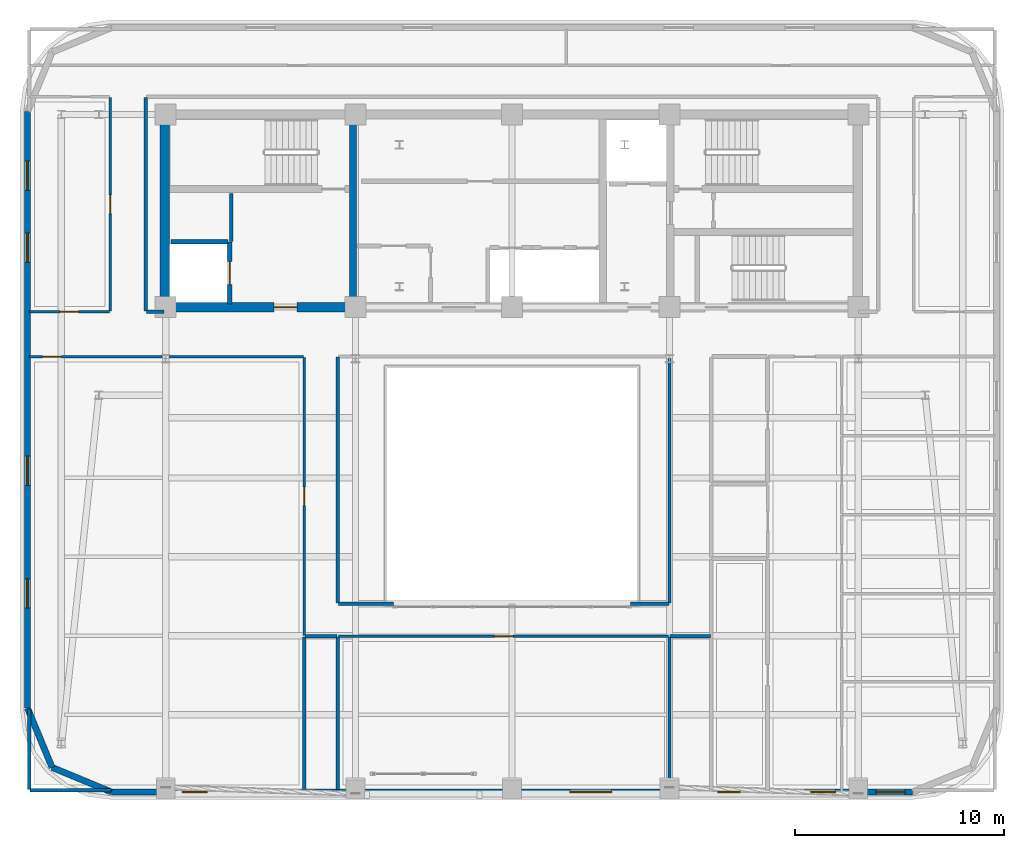
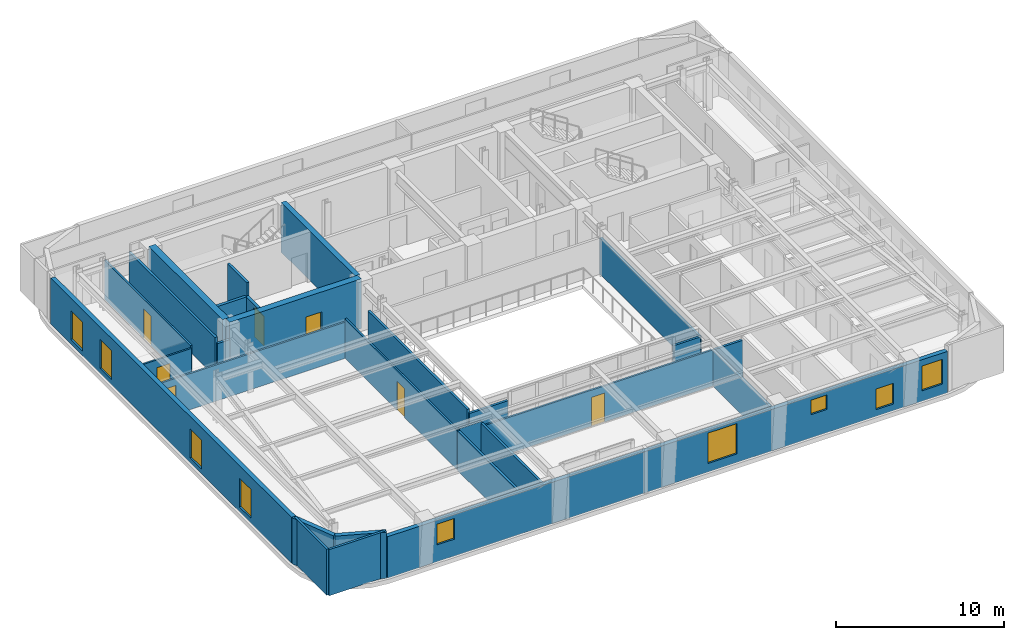
# One storey, part 6 of 13: 28 walls, 9 windows, 7 doors, 16 openings.
"""IFC4 building model written with IfcOpenShell, lengths in metres."""

from ifc_helpers import new_model, si_unit, direction, frame, frame_2d, origin, place, context, subcontext, project, spatial, rectangle, extrude, material, layer, layer_set, type_object, element, fill, save


model = new_model("IFC4")

# Units and contexts
model_context = context("Model", 3, precision=1e-05, world=origin(), true_north=direction((0.0, 1.0)))
body_context = subcontext(model_context, "Body", "Model", "MODEL_VIEW")
ifc_project = project(units=[si_unit("LENGTHUNIT", "METRE"), si_unit("AREAUNIT", "SQUARE_METRE"), si_unit("VOLUMEUNIT", "CUBIC_METRE"), si_unit("PLANEANGLEUNIT", "RADIAN"), si_unit("MASSUNIT", "GRAM", prefix="KILO")], contexts=[model_context])

# Site, building, storey
site_placement = place(None, origin())
site = spatial("IfcSite", under=ifc_project, at=site_placement, CompositionType="ELEMENT")
building_placement = place(site_placement, origin())
building = spatial("IfcBuilding", under=site, at=building_placement, Name="Zarnavel Station Tower", CompositionType="ELEMENT")
storey_placement = place(building_placement, frame((0.0, 0.0, 236.39990234375)))
storey = spatial("IfcBuildingStorey", under=building, at=storey_placement, Name="L64", CompositionType="ELEMENT", Elevation=236.39990234375)

# Wall
ifc_material_1 = material(Name="Concrete C50/60", Category="concrete")
ifc_layer_1 = layer(ifc_material_1, 0.35009765625)
ifc_layer_set_1 = layer_set([ifc_layer_1], Name="CW_350")
wall_type_1 = type_object("IfcWallType", Name="CW_350", PredefinedType="SHEAR", material=ifc_layer_set_1)
wall_1_placement = place(storey_placement, frame((21.179931640625, 28.044921875, 0.0), z_axis=(0.0, 0.0, 1.0), x_axis=(0.0, 1.0, 0.0)))
element("IfcWall", 1, at=wall_1_placement, inside=storey, type_object=wall_type_1, Name="L64 Rear Core Shear Wall DIV-W", PredefinedType="SHEAR", context=body_context, shape_type="SweptSolid", body=[
    extrude(rectangle(XDim=8.780029296875, YDim=0.35009765625, at=frame_2d((4.39013671875, 0.0))), origin(), (0.0, 0.0, 1.0), 3.60009765625),
])

# Wall, opening, door
ifc_material_2 = material(Name="Concrete C50/60", Category="concrete")
ifc_layer_2 = layer(ifc_material_2, 0.449951171875)
ifc_layer_set_2 = layer_set([ifc_layer_2], Name="CW_450")
wall_type_2 = type_object("IfcWallType", Name="CW_450", PredefinedType="SHEAR", material=ifc_layer_set_2)
wall_2_placement = place(storey_placement, frame((21.179931640625, 27.820068359375, 0.0), z_axis=(0.0, 0.0, 1.0), x_axis=(-1.0, 0.0, 0.0)))
wall_2 = element("IfcWall", 2, at=wall_2_placement, inside=storey, type_object=wall_type_2, Name="L64 Rear Core Shear Wall S-W", PredefinedType="SHEAR", context=body_context, shape_type="SweptSolid", body=[
    extrude(rectangle(XDim=9.030029296875, YDim=0.449951171875, at=frame_2d((4.51513671875, 0.0))), origin(), (0.0, 0.0, 1.0), 3.60009765625),
])
opening_1_placement = place(wall_2_placement, frame((2.679931640625, 0.0, 0.0)))
opening_1 = element("IfcOpeningElement", 3, at=opening_1_placement, cuts=wall_2, Name="Opening FD01", PredefinedType="OPENING", context=body_context, shape_type="SweptSolid", body=[
    extrude(rectangle(XDim=1.10009765625, YDim=2.14990234375, at=frame_2d((0.550048828125, 1.074951171875))), frame((0.0, 0.23486328125, 0.0), z_axis=(0.0, -1.0, 0.0), x_axis=(1.0, 0.0, 0.0)), (0.0, 0.0, 1.0), 0.469970703125),
])
ifc_material_3 = material(Name="Painted Galvanised Steel and Hardwood Leaf", Category="steel")
door_type_1 = type_object("IfcDoorType", Name="ID_STAIR_1100", OperationType="NOTDEFINED", PredefinedType="DOOR", material=ifc_material_3)
door_1_placement = place(opening_1_placement, origin())
door_1 = element("IfcDoor", 4, at=door_1_placement, inside=storey, type_object=door_type_1, Name="L64 West Firefighting Lobby Door", OperationType="SINGLE_SWING_RIGHT", OverallHeight=2.14990234375, OverallWidth=1.10009765625, PredefinedType="DOOR", context=body_context, shape_type="SweptSolid", body=[
    extrude(rectangle(XDim=1.10009765625, YDim=2.14990234375, at=frame_2d((0.550048828125, 1.074951171875))), frame((0.0, 0.02490234375, 0.0), z_axis=(0.0, -1.0, 0.0), x_axis=(1.0, 0.0, 0.0)), (0.0, 0.0, 1.0), 0.050048828125),
])
fill(opening_1, door_1)

# Wall
wall_3_placement = place(storey_placement, frame((12.14990234375, 28.044921875, 0.0), z_axis=(0.0, 0.0, 1.0), x_axis=(0.0, 1.0, 0.0)))
element("IfcWall", 5, at=wall_3_placement, inside=storey, type_object=wall_type_2, Name="L64 Rear Core Shear Wall W", PredefinedType="SHEAR", context=body_context, shape_type="SweptSolid", body=[
    extrude(rectangle(XDim=8.780029296875, YDim=0.449951171875, at=frame_2d((4.39013671875, 0.0))), origin(), (0.0, 0.0, 1.0), 3.60009765625),
])

# Wall, openings, windows
ifc_material_4 = material(Name="Precast concrete C45/55 (Dark Basalt Finish)", Category="masonry")
ifc_layer_3 = layer(ifc_material_4, 0.300048828125)
ifc_layer_set_3 = layer_set([ifc_layer_3], Name="EW_BASALT_300")
wall_type_3 = type_object("IfcWallType", Name="EW_BASALT_300", PredefinedType="SOLIDWALL", material=ifc_layer_set_3)
wall_4_placement = place(storey_placement, frame((5.580078125, 8.60009765625, 0.0), z_axis=(0.0, 0.0, 1.0), x_axis=(0.0, 1.0, 0.0)))
wall_4 = element("IfcWall", 6, at=wall_4_placement, inside=storey, type_object=wall_type_3, Name="L64 Exterior Basalt Masonry Frame Wall 09", PredefinedType="SOLIDWALL", context=body_context, shape_type="SweptSolid", body=[
    extrude(rectangle(XDim=28.599853515625, YDim=0.300048828125, at=frame_2d((14.2998046875, 0.0))), origin(), (0.0, 0.0, 1.0), 3.340087890625),
])
opening_2_placement = place(wall_4_placement, frame((21.360107421875, 0.0, 0.340087890625)))
opening_2 = element("IfcOpeningElement", 7, at=opening_2_placement, cuts=wall_4, Name="Opening WN04", PredefinedType="OPENING", context=body_context, shape_type="SweptSolid", body=[
    extrude(rectangle(XDim=1.39990234375, YDim=2.10009765625, at=frame_2d((0.699951171875, 1.050048828125))), frame((0.0, 0.159912109375, 0.0), z_axis=(0.0, -1.0, 0.0), x_axis=(1.0, 0.0, 0.0)), (0.0, 0.0, 1.0), 0.320068359375),
])
opening_3_placement = place(wall_4_placement, frame((24.820068359375, 0.0, 0.340087890625)))
opening_3 = element("IfcOpeningElement", 8, at=opening_3_placement, cuts=wall_4, Name="Opening WN04", PredefinedType="OPENING", context=body_context, shape_type="SweptSolid", body=[
    extrude(rectangle(XDim=1.39990234375, YDim=2.10009765625, at=frame_2d((0.699951171875, 1.050048828125))), frame((0.0, 0.159912109375, 0.0), z_axis=(0.0, -1.0, 0.0), x_axis=(1.0, 0.0, 0.0)), (0.0, 0.0, 1.0), 0.320068359375),
])
opening_4_placement = place(wall_4_placement, frame((4.796630859375, 0.0, 0.340087890625)))
opening_4 = element("IfcOpeningElement", 9, at=opening_4_placement, cuts=wall_4, Name="Opening WN04", PredefinedType="OPENING", context=body_context, shape_type="SweptSolid", body=[
    extrude(rectangle(XDim=1.39990234375, YDim=2.10009765625, at=frame_2d((0.699951171875, 1.050048828125))), frame((0.0, 0.159912109375, 0.0), z_axis=(0.0, -1.0, 0.0), x_axis=(1.0, 0.0, 0.0)), (0.0, 0.0, 1.0), 0.320068359375),
])
opening_5_placement = place(wall_4_placement, frame((10.67333984375, 0.0, 0.340087890625)))
opening_5 = element("IfcOpeningElement", 10, at=opening_5_placement, cuts=wall_4, Name="Opening WN04", PredefinedType="OPENING", context=body_context, shape_type="SweptSolid", body=[
    extrude(rectangle(XDim=1.39990234375, YDim=2.10009765625, at=frame_2d((0.699951171875, 1.050048828125))), frame((0.0, 0.159912109375, 0.0), z_axis=(0.0, -1.0, 0.0), x_axis=(1.0, 0.0, 0.0)), (0.0, 0.0, 1.0), 0.320068359375),
])
ifc_material_5 = material(Name="Thermally Broken Black Aluminium and Low-E Dark Glass", Category="aluminium")
window_type_1 = type_object("IfcWindowType", Name="WN_1400x2100", PartitioningType="DOUBLE_PANEL_VERTICAL", PredefinedType="WINDOW", material=ifc_material_5)
window_1_placement = place(opening_2_placement, origin())
window_1 = element("IfcWindow", 11, at=window_1_placement, inside=storey, type_object=window_type_1, Name="L64 Recessed Facade Window 01", OverallHeight=2.10009765625, OverallWidth=1.39990234375, PartitioningType="SINGLE_PANEL", PredefinedType="WINDOW", context=body_context, shape_type="SweptSolid", body=[
    extrude(rectangle(XDim=1.39990234375, YDim=2.10009765625, at=frame_2d((0.699951171875, 1.050048828125))), frame((0.0, 0.030029296875, 0.0), z_axis=(0.0, -1.0, 0.0), x_axis=(1.0, 0.0, 0.0)), (0.0, 0.0, 1.0), 0.06005859375),
])
fill(opening_2, window_1)
window_2_placement = place(opening_3_placement, origin())
window_2 = element("IfcWindow", 12, at=window_2_placement, inside=storey, type_object=window_type_1, Name="L64 Recessed Facade Window 02", OverallHeight=2.10009765625, OverallWidth=1.39990234375, PartitioningType="SINGLE_PANEL", PredefinedType="WINDOW", context=body_context, shape_type="SweptSolid", body=[
    extrude(rectangle(XDim=1.39990234375, YDim=2.10009765625, at=frame_2d((0.699951171875, 1.050048828125))), frame((0.0, 0.030029296875, 0.0), z_axis=(0.0, -1.0, 0.0), x_axis=(1.0, 0.0, 0.0)), (0.0, 0.0, 1.0), 0.06005859375),
])
fill(opening_3, window_2)
window_3_placement = place(opening_4_placement, origin())
window_3 = element("IfcWindow", 13, at=window_3_placement, inside=storey, type_object=window_type_1, Name="L64 Recessed Facade Window 03", OverallHeight=2.10009765625, OverallWidth=1.39990234375, PartitioningType="SINGLE_PANEL", PredefinedType="WINDOW", context=body_context, shape_type="SweptSolid", body=[
    extrude(rectangle(XDim=1.39990234375, YDim=2.10009765625, at=frame_2d((0.699951171875, 1.050048828125))), frame((0.0, 0.030029296875, 0.0), z_axis=(0.0, -1.0, 0.0), x_axis=(1.0, 0.0, 0.0)), (0.0, 0.0, 1.0), 0.06005859375),
])
fill(opening_4, window_3)
window_4_placement = place(opening_5_placement, origin())
window_4 = element("IfcWindow", 14, at=window_4_placement, inside=storey, type_object=window_type_1, Name="L64 Recessed Facade Window 04", OverallHeight=2.10009765625, OverallWidth=1.39990234375, PartitioningType="SINGLE_PANEL", PredefinedType="WINDOW", context=body_context, shape_type="SweptSolid", body=[
    extrude(rectangle(XDim=1.39990234375, YDim=2.10009765625, at=frame_2d((0.699951171875, 1.050048828125))), frame((0.0, 0.030029296875, 0.0), z_axis=(0.0, -1.0, 0.0), x_axis=(1.0, 0.0, 0.0)), (0.0, 0.0, 1.0), 0.06005859375),
])
fill(opening_5, window_4)

# Walls
for number, where, z_axis, x_axis, name in (
    (15, (6.75732421875, 5.75732421875, 0.0), (0.0, 0.0, 1.0), (-0.382608747773, 0.923910464346, 0.0), "L64 Exterior Basalt Masonry Frame Wall 10"),
    (16, (9.60009765625, 4.580078125, 0.0), (0.0, 0.0, 1.0), (-0.923910464346, 0.382608747773, 0.0), "L64 Exterior Basalt Masonry Frame Wall 11"),
):
    element("IfcWall", number, at=place(storey_placement, frame(where, z_axis=z_axis, x_axis=x_axis)), inside=storey, type_object=wall_type_3, Name=name, PredefinedType="SOLIDWALL", context=body_context, shape_type="SweptSolid", body=[
        extrude(rectangle(XDim=3.076904296875, YDim=0.300048828125, at=frame_2d((1.53857421875, 0.0))), origin(), (0.0, 0.0, 1.0), 3.340087890625),
    ])

# Wall, openings, windows
wall_5_placement = place(storey_placement, frame((48.0, 4.580078125, 0.0), z_axis=(0.0, 0.0, 1.0), x_axis=(-1.0, 0.0, 0.0)))
wall_5 = element("IfcWall", 17, at=wall_5_placement, inside=storey, type_object=wall_type_3, Name="L64 Exterior Basalt Masonry Frame Wall 12", PredefinedType="SOLIDWALL", context=body_context, shape_type="SweptSolid", body=[
    extrude(rectangle(XDim=38.39990234375, YDim=0.300048828125, at=frame_2d((19.199951171875, 0.0))), origin(), (0.0, 0.0, 1.0), 3.0),
])
opening_6_placement = place(wall_5_placement, frame((33.794921875, 0.0, 1.219970703125)))
opening_6 = element("IfcOpeningElement", 18, at=opening_6_placement, cuts=wall_5, Name="Opening WN08", PredefinedType="OPENING", context=body_context, shape_type="SweptSolid", body=[
    extrude(rectangle(XDim=1.199951171875, YDim=1.5, at=frame_2d((0.60009765625, 0.75))), frame((0.0, 0.159912109375, 0.0), z_axis=(0.0, -1.0, 0.0), x_axis=(1.0, 0.0, 0.0)), (0.0, 0.0, 1.0), 0.320068359375),
])
opening_7_placement = place(wall_5_placement, frame((14.425048828125, 0.0, 0.6201171875)))
opening_7 = element("IfcOpeningElement", 19, at=opening_7_placement, cuts=wall_5, Name="Opening WN07", PredefinedType="OPENING", context=body_context, shape_type="SweptSolid", body=[
    extrude(rectangle(XDim=2.0, YDim=2.199951171875, at=frame_2d((1.0, 1.10009765625))), frame((0.0, 0.159912109375, 0.0), z_axis=(0.0, -1.0, 0.0), x_axis=(1.0, 0.0, 0.0)), (0.0, 0.0, 1.0), 0.320068359375),
])
opening_8_placement = place(wall_5_placement, frame((3.69091796875, 0.0, 0.47998046875)))
opening_8 = element("IfcOpeningElement", 20, at=opening_8_placement, cuts=wall_5, Name="Opening WN08", PredefinedType="OPENING", context=body_context, shape_type="SweptSolid", body=[
    extrude(rectangle(XDim=1.199951171875, YDim=1.5, at=frame_2d((0.60009765625, 0.75))), frame((0.0, 0.159912109375, 0.0), z_axis=(0.0, -1.0, 0.0), x_axis=(1.0, 0.0, 0.0)), (0.0, 0.0, 1.0), 0.320068359375),
])
opening_9_placement = place(wall_5_placement, frame((8.25, 0.0, 1.679931640625)))
opening_9 = element("IfcOpeningElement", 21, at=opening_9_placement, cuts=wall_5, Name="Opening WN09", PredefinedType="OPENING", context=body_context, shape_type="SweptSolid", body=[
    extrude(rectangle(XDim=1.10009765625, YDim=1.050048828125, at=frame_2d((0.550048828125, 0.52490234375))), frame((0.0, 0.159912109375, 0.0), z_axis=(0.0, -1.0, 0.0), x_axis=(1.0, 0.0, 0.0)), (0.0, 0.0, 1.0), 0.320068359375),
])
opening_10_placement = place(wall_5_placement, frame((0.357421875, 0.0, 0.75)))
opening_10 = element("IfcOpeningElement", 22, at=opening_10_placement, cuts=wall_5, Name="Opening WN01", PredefinedType="OPENING", context=body_context, shape_type="SweptSolid", body=[
    extrude(rectangle(XDim=1.39990234375, YDim=1.800048828125, at=frame_2d((0.699951171875, 0.89990234375))), frame((0.0, 0.159912109375, 0.0), z_axis=(0.0, -1.0, 0.0), x_axis=(1.0, 0.0, 0.0)), (0.0, 0.0, 1.0), 0.320068359375),
])
ifc_material_6 = material(Name="Thermally Broken Black Aluminium and Low-E Dark Glass", Category="aluminium")
window_type_2 = type_object("IfcWindowType", Name="WN_1100x1050", PartitioningType="SINGLE_PANEL", PredefinedType="WINDOW", material=ifc_material_6)
window_5_placement = place(opening_9_placement, origin())
window_5 = element("IfcWindow", 23, at=window_5_placement, inside=storey, type_object=window_type_2, Name="L64 Recessed Facade Window 04", OverallHeight=1.050048828125, OverallWidth=1.10009765625, PartitioningType="SINGLE_PANEL", PredefinedType="WINDOW", context=body_context, shape_type="SweptSolid", body=[
    extrude(rectangle(XDim=1.10009765625, YDim=1.050048828125, at=frame_2d((0.550048828125, 0.52490234375))), frame((0.0, 0.030029296875, 0.0), z_axis=(0.0, -1.0, 0.0), x_axis=(1.0, 0.0, 0.0)), (0.0, 0.0, 1.0), 0.06005859375),
])
fill(opening_9, window_5)
ifc_material_7 = material(Name="Thermally Broken Black Aluminium and Low-E Dark Glass", Category="aluminium")
window_type_3 = type_object("IfcWindowType", Name="WN_1200x1500", PartitioningType="SINGLE_PANEL", PredefinedType="WINDOW", material=ifc_material_7)
window_6_placement = place(opening_6_placement, origin())
window_6 = element("IfcWindow", 24, at=window_6_placement, inside=storey, type_object=window_type_3, Name="L64 Recessed Facade Window 01", OverallHeight=1.5, OverallWidth=1.199951171875, PartitioningType="SINGLE_PANEL", PredefinedType="WINDOW", context=body_context, shape_type="SweptSolid", body=[
    extrude(rectangle(XDim=1.199951171875, YDim=1.5, at=frame_2d((0.60009765625, 0.75))), frame((0.0, 0.030029296875, 0.0), z_axis=(0.0, -1.0, 0.0), x_axis=(1.0, 0.0, 0.0)), (0.0, 0.0, 1.0), 0.06005859375),
])
fill(opening_6, window_6)
window_7_placement = place(opening_8_placement, origin())
window_7 = element("IfcWindow", 25, at=window_7_placement, inside=storey, type_object=window_type_3, Name="L64 Recessed Facade Window 03", OverallHeight=1.5, OverallWidth=1.199951171875, PartitioningType="SINGLE_PANEL", PredefinedType="WINDOW", context=body_context, shape_type="SweptSolid", body=[
    extrude(rectangle(XDim=1.199951171875, YDim=1.5, at=frame_2d((0.60009765625, 0.75))), frame((0.0, 0.030029296875, 0.0), z_axis=(0.0, -1.0, 0.0), x_axis=(1.0, 0.0, 0.0)), (0.0, 0.0, 1.0), 0.06005859375),
])
fill(opening_8, window_7)
ifc_material_8 = material(Name="Thermally Broken Black Aluminium and Low-E Dark Glass", Category="aluminium")
window_type_4 = type_object("IfcWindowType", Name="WN_1400x1800", PartitioningType="DOUBLE_PANEL_VERTICAL", PredefinedType="WINDOW", material=ifc_material_8)
window_8_placement = place(opening_10_placement, origin())
window_8 = element("IfcWindow", 26, at=window_8_placement, inside=storey, type_object=window_type_4, Name="L64 Recessed Facade Window 05", OverallHeight=1.800048828125, OverallWidth=1.39990234375, PartitioningType="SINGLE_PANEL", PredefinedType="WINDOW", context=body_context, shape_type="SweptSolid", body=[
    extrude(rectangle(XDim=1.39990234375, YDim=1.800048828125, at=frame_2d((0.699951171875, 0.89990234375))), frame((0.0, 0.030029296875, 0.0), z_axis=(0.0, -1.0, 0.0), x_axis=(1.0, 0.0, 0.0)), (0.0, 0.0, 1.0), 0.06005859375),
])
fill(opening_10, window_8)
ifc_material_9 = material(Name="Thermally Broken Black Aluminium and Low-E Dark Glass", Category="aluminium")
window_type_5 = type_object("IfcWindowType", Name="WN_2000x2200", PartitioningType="TRIPLE_PANEL_VERTICAL", PredefinedType="WINDOW", material=ifc_material_9)
window_9_placement = place(opening_7_placement, origin())
window_9 = element("IfcWindow", 27, at=window_9_placement, inside=storey, type_object=window_type_5, Name="L64 Recessed Facade Window 02", OverallHeight=2.199951171875, OverallWidth=2.0, PartitioningType="SINGLE_PANEL", PredefinedType="WINDOW", context=body_context, shape_type="SweptSolid", body=[
    extrude(rectangle(XDim=2.0, YDim=2.199951171875, at=frame_2d((1.0, 1.10009765625))), frame((0.0, 0.030029296875, 0.0), z_axis=(0.0, -1.0, 0.0), x_axis=(1.0, 0.0, 0.0)), (0.0, 0.0, 1.0), 0.06005859375),
])
fill(opening_7, window_9)

# Walls
ifc_material_10 = material(Name="Gypsum Twin-Stud Acoustic Fire Partition", Category="concrete")
ifc_layer_4 = layer(ifc_material_10, 0.159912109375)
ifc_layer_set_4 = layer_set([ifc_layer_4], Name="PT_DEMISE_160")
wall_type_4 = type_object("IfcWallType", Name="PT_DEMISE_160", PredefinedType="PARTITIONING", material=ifc_layer_set_4)
wall_6_placement = place(storey_placement, frame((15.35009765625, 30.9599609375, 0.0), z_axis=(0.0, 0.0, 1.0), x_axis=(0.0, 1.0, 0.0)))
element("IfcWall", 28, at=wall_6_placement, inside=storey, type_object=wall_type_4, Name="L64 Enclosure Wall FFL1", PredefinedType="PARTITIONING", context=body_context, shape_type="SweptSolid", body=[
    extrude(rectangle(XDim=2.31005859375, YDim=0.159912109375, at=frame_2d((1.155029296875, 0.0))), origin(), (0.0, 0.0, 1.0), 3.340087890625),
])
wall_7_placement = place(storey_placement, frame((11.280029296875, 27.60009765625, 0.0), z_axis=(0.0, 0.0, 1.0), x_axis=(1.0, 0.0, 0.0)))
element("IfcWall", 29, at=wall_7_placement, inside=storey, type_object=wall_type_4, Name="L64 Enclosure Wall COR-S", PredefinedType="PARTITIONING", context=body_context, shape_type="SweptSolid", body=[
    extrude(rectangle(XDim=0.840087890625, YDim=0.159912109375, at=frame_2d((0.419921875, 0.0))), origin(), (0.0, 0.0, 1.0), 2.41015625),
])
wall_8_placement = place(storey_placement, frame((18.8798828125, 12.050048828125, 0.0), z_axis=(0.0, 0.0, 1.0), x_axis=(1.0, 0.0, 0.0)))
element("IfcWall", 30, at=wall_8_placement, inside=storey, type_object=wall_type_4, Name="L64 Enclosure Wall COR-AW", PredefinedType="PARTITIONING", context=body_context, shape_type="SweptSolid", body=[
    extrude(rectangle(XDim=1.5400390625, YDim=0.159912109375, at=frame_2d((0.77001953125, 0.0))), origin(), (0.0, 0.0, 1.0), 3.010009765625),
])
wall_9_placement = place(storey_placement, frame((20.449951171875, 13.6298828125, 0.0), z_axis=(0.0, 0.0, 1.0), x_axis=(0.0, 1.0, 0.0)))
element("IfcWall", 31, at=wall_9_placement, inside=storey, type_object=wall_type_4, Name="L64 Enclosure Wall COR-AW", PredefinedType="PARTITIONING", context=body_context, shape_type="SweptSolid", body=[
    extrude(rectangle(XDim=11.7900390625, YDim=0.159912109375, at=frame_2d((5.89501953125, 0.0))), origin(), (0.0, 0.0, 1.0), 2.880126953125),
])
wall_10_placement = place(storey_placement, frame((36.3798828125, 12.050048828125, 0.0), z_axis=(0.0, 0.0, 1.0), x_axis=(1.0, 0.0, 0.0)))
element("IfcWall", 32, at=wall_10_placement, inside=storey, type_object=wall_type_4, Name="L64 Enclosure Wall COR-AE", PredefinedType="PARTITIONING", context=body_context, shape_type="SweptSolid", body=[
    extrude(rectangle(XDim=1.940185546875, YDim=0.159912109375, at=frame_2d((0.97021484375, 0.0))), origin(), (0.0, 0.0, 1.0), 2.6201171875),
])
wall_11_placement = place(storey_placement, frame((36.35009765625, 13.6298828125, 0.0), z_axis=(0.0, 0.0, 1.0), x_axis=(0.0, 1.0, 0.0)))
element("IfcWall", 33, at=wall_11_placement, inside=storey, type_object=wall_type_4, Name="L64 Enclosure Wall COR-AE", PredefinedType="PARTITIONING", context=body_context, shape_type="SweptSolid", body=[
    extrude(rectangle(XDim=11.7900390625, YDim=0.159912109375, at=frame_2d((5.89501953125, 0.0))), origin(), (0.0, 0.0, 1.0), 2.6201171875),
])
wall_12_placement = place(storey_placement, frame((20.47998046875, 13.60009765625, 0.0), z_axis=(0.0, 0.0, 1.0), x_axis=(1.0, 0.0, 0.0)))
element("IfcWall", 34, at=wall_12_placement, inside=storey, type_object=wall_type_4, Name="L64 Enclosure Wall COR-AS", PredefinedType="PARTITIONING", context=body_context, shape_type="SweptSolid", body=[
    extrude(rectangle(XDim=2.64013671875, YDim=0.159912109375, at=frame_2d((1.320068359375, 0.0))), origin(), (0.0, 0.0, 1.0), 2.6201171875),
])
wall_13_placement = place(storey_placement, frame((34.47998046875, 13.60009765625, 0.0), z_axis=(0.0, 0.0, 1.0), x_axis=(1.0, 0.0, 0.0)))
element("IfcWall", 35, at=wall_13_placement, inside=storey, type_object=wall_type_4, Name="L64 Enclosure Wall COR-AS", PredefinedType="PARTITIONING", context=body_context, shape_type="SweptSolid", body=[
    extrude(rectangle(XDim=1.840087890625, YDim=0.159912109375, at=frame_2d((0.919921875, 0.0))), origin(), (0.0, 0.0, 1.0), 2.6201171875),
])
wall_14_placement = place(storey_placement, frame((11.25, 27.6298828125, 0.0), z_axis=(0.0, 0.0, 1.0), x_axis=(0.0, 1.0, 0.0)))
element("IfcWall", 36, at=wall_14_placement, inside=storey, type_object=wall_type_4, Name="L64 Enclosure Wall COR-W", PredefinedType="PARTITIONING", context=body_context, shape_type="SweptSolid", body=[
    extrude(rectangle(XDim=10.240234375, YDim=0.159912109375, at=frame_2d((5.1201171875, 0.0))), origin(), (0.0, 0.0, 1.0), 2.820068359375),
])
for number, where, z_axis, x_axis, name in (
    (37, (5.68994140625, 4.659912109375, 0.0), (0.0, 0.0, 1.0), (1.0, 0.0, 0.0), "L64 Enclosure Wall L64ART"),
    (38, (5.659912109375, 4.68994140625, 0.0), (0.0, 0.0, 1.0), (0.0, 1.0, 0.0), "L64 Enclosure Wall L64ART"),
):
    element("IfcWall", number, at=place(storey_placement, frame(where, z_axis=z_axis, x_axis=x_axis)), inside=storey, type_object=wall_type_4, Name=name, PredefinedType="PARTITIONING", context=body_context, shape_type="SweptSolid", body=[
        extrude(rectangle(XDim=3.880126953125, YDim=0.159912109375, at=frame_2d((1.93994140625, 0.0))), origin(), (0.0, 0.0, 1.0), 3.340087890625),
    ])
for number, where, z_axis, x_axis, name in (
    (39, (18.85009765625, 4.68994140625, 0.0), (0.0, 0.0, 1.0), (0.0, 1.0, 0.0), "L64 Enclosure Wall L64ART"),
    (40, (20.449951171875, 4.68994140625, 0.0), (0.0, 0.0, 1.0), (0.0, 1.0, 0.0), "L64 Enclosure Wall L64CON"),
):
    element("IfcWall", number, at=place(storey_placement, frame(where, z_axis=z_axis, x_axis=x_axis)), inside=storey, type_object=wall_type_4, Name=name, PredefinedType="PARTITIONING", context=body_context, shape_type="SweptSolid", body=[
        extrude(rectangle(XDim=7.330078125, YDim=0.159912109375, at=frame_2d((3.6650390625, 0.0))), origin(), (0.0, 0.0, 1.0), 2.880126953125),
    ])
wall_15_placement = place(storey_placement, frame((36.35009765625, 4.68994140625, 0.0), z_axis=(0.0, 0.0, 1.0), x_axis=(0.0, 1.0, 0.0)))
element("IfcWall", 41, at=wall_15_placement, inside=storey, type_object=wall_type_4, Name="L64 Enclosure Wall L64CON", PredefinedType="PARTITIONING", context=body_context, shape_type="SweptSolid", body=[
    extrude(rectangle(XDim=7.330078125, YDim=0.159912109375, at=frame_2d((3.6650390625, 0.0))), origin(), (0.0, 0.0, 1.0), 2.6201171875),
])

# Wall, opening, door
ifc_material_11 = material(Name="Gypsum Metal-Stud Interior Partition", Category="concrete")
ifc_layer_5 = layer(ifc_material_11, 0.1201171875)
ifc_layer_set_5 = layer_set([ifc_layer_5], Name="PT_ROOM_120")
wall_type_5 = type_object("IfcWallType", Name="PT_ROOM_120", PredefinedType="PARTITIONING", material=ifc_layer_set_5)
wall_16_placement = place(storey_placement, frame((5.659912109375, 27.60009765625, 0.0), z_axis=(0.0, 0.0, 1.0), x_axis=(1.0, 0.0, 0.0)))
wall_16 = element("IfcWall", 42, at=wall_16_placement, inside=storey, type_object=wall_type_5, Name="L64 Partition COR-S-FNW", PredefinedType="PARTITIONING", context=body_context, shape_type="SweptSolid", body=[
    extrude(rectangle(XDim=3.85009765625, YDim=0.1201171875, at=frame_2d((1.925048828125, 0.0))), origin(), (0.0, 0.0, 1.0), 2.670166015625),
])
opening_11_placement = place(wall_16_placement, frame((1.47509765625, 0.0, 0.0)))
opening_11 = element("IfcOpeningElement", 43, at=opening_11_placement, cuts=wall_16, Name="Opening ID01", PredefinedType="OPENING", context=body_context, shape_type="SweptSolid", body=[
    extrude(rectangle(XDim=0.89990234375, YDim=2.10009765625, at=frame_2d((0.449951171875, 1.050048828125))), frame((0.0, 0.070068359375, 0.0), z_axis=(0.0, -1.0, 0.0), x_axis=(1.0, 0.0, 0.0)), (0.0, 0.0, 1.0), 0.14013671875),
])
ifc_material_12 = material(Name="Painted Galvanised Steel and Hardwood Leaf", Category="steel")
door_type_2 = type_object("IfcDoorType", Name="ID_ROOM_900", OperationType="NOTDEFINED", PredefinedType="DOOR", material=ifc_material_12)
door_2_placement = place(opening_11_placement, origin())
door_2 = element("IfcDoor", 44, at=door_2_placement, inside=storey, type_object=door_type_2, Name="L64 Door COR-S-FNW", OperationType="SINGLE_SWING_RIGHT", OverallHeight=2.10009765625, OverallWidth=0.89990234375, PredefinedType="DOOR", context=body_context, shape_type="SweptSolid", body=[
    extrude(rectangle(XDim=0.89990234375, YDim=2.10009765625, at=frame_2d((0.449951171875, 1.050048828125))), frame((0.0, 0.02490234375, 0.0), z_axis=(0.0, -1.0, 0.0), x_axis=(1.0, 0.0, 0.0)), (0.0, 0.0, 1.0), 0.050048828125),
])
fill(opening_11, door_2)

wall_17_placement = place(storey_placement, frame((5.659912109375, 25.449951171875, 0.0), z_axis=(0.0, 0.0, 1.0), x_axis=(1.0, 0.0, 0.0)))
wall_17 = element("IfcWall", 45, at=wall_17_placement, inside=storey, type_object=wall_type_5, Name="L64 Partition COR-S-L64ART", PredefinedType="PARTITIONING", context=body_context, shape_type="SweptSolid", body=[
    extrude(rectangle(XDim=13.150146484375, YDim=0.1201171875, at=frame_2d((6.5751953125, 0.0))), origin(), (0.0, 0.0, 1.0), 2.6201171875),
])
opening_12_placement = place(wall_17_placement, frame((0.638671875, 0.0, 0.0)))
opening_12 = element("IfcOpeningElement", 46, at=opening_12_placement, cuts=wall_17, Name="Opening ID01", PredefinedType="OPENING", context=body_context, shape_type="SweptSolid", body=[
    extrude(rectangle(XDim=0.89990234375, YDim=2.10009765625, at=frame_2d((0.449951171875, 1.050048828125))), frame((0.0, 0.070068359375, 0.0), z_axis=(0.0, -1.0, 0.0), x_axis=(1.0, 0.0, 0.0)), (0.0, 0.0, 1.0), 0.14013671875),
])
door_3_placement = place(opening_12_placement, origin())
door_3 = element("IfcDoor", 47, at=door_3_placement, inside=storey, type_object=door_type_2, Name="L64 Door COR-S-L64ART", OperationType="SINGLE_SWING_RIGHT", OverallHeight=2.10009765625, OverallWidth=0.89990234375, PredefinedType="DOOR", context=body_context, shape_type="SweptSolid", body=[
    extrude(rectangle(XDim=0.89990234375, YDim=2.10009765625, at=frame_2d((0.449951171875, 1.050048828125))), frame((0.0, 0.02490234375, 0.0), z_axis=(0.0, -1.0, 0.0), x_axis=(1.0, 0.0, 0.0)), (0.0, 0.0, 1.0), 0.050048828125),
])
fill(opening_12, door_3)

wall_18_placement = place(storey_placement, frame((18.85009765625, 12.090087890625, 0.0), z_axis=(0.0, 0.0, 1.0), x_axis=(0.0, 1.0, 0.0)))
wall_18 = element("IfcWall", 48, at=wall_18_placement, inside=storey, type_object=wall_type_5, Name="L64 Partition COR-AW-L64ART", PredefinedType="PARTITIONING", context=body_context, shape_type="SweptSolid", body=[
    extrude(rectangle(XDim=13.31982421875, YDim=0.1201171875, at=frame_2d((6.659912109375, 0.0))), origin(), (0.0, 0.0, 1.0), 2.880126953125),
])
opening_13_placement = place(wall_18_placement, frame((6.2099609375, 0.0, 0.0)))
opening_13 = element("IfcOpeningElement", 49, at=opening_13_placement, cuts=wall_18, Name="Opening ID01", PredefinedType="OPENING", context=body_context, shape_type="SweptSolid", body=[
    extrude(rectangle(XDim=0.89990234375, YDim=2.10009765625, at=frame_2d((0.449951171875, 1.050048828125))), frame((0.0, 0.070068359375, 0.0), z_axis=(0.0, -1.0, 0.0), x_axis=(1.0, 0.0, 0.0)), (0.0, 0.0, 1.0), 0.14013671875),
])
door_4_placement = place(opening_13_placement, origin())
door_4 = element("IfcDoor", 50, at=door_4_placement, inside=storey, type_object=door_type_2, Name="L64 Door COR-AW-L64ART", OperationType="SINGLE_SWING_RIGHT", OverallHeight=2.10009765625, OverallWidth=0.89990234375, PredefinedType="DOOR", context=body_context, shape_type="SweptSolid", body=[
    extrude(rectangle(XDim=0.89990234375, YDim=2.10009765625, at=frame_2d((0.449951171875, 1.050048828125))), frame((0.0, 0.02490234375, 0.0), z_axis=(0.0, -1.0, 0.0), x_axis=(1.0, 0.0, 0.0)), (0.0, 0.0, 1.0), 0.050048828125),
])
fill(opening_13, door_4)

wall_19_placement = place(storey_placement, frame((20.489990234375, 12.050048828125, 0.0), z_axis=(0.0, 0.0, 1.0), x_axis=(1.0, 0.0, 0.0)))
wall_19 = element("IfcWall", 51, at=wall_19_placement, inside=storey, type_object=wall_type_5, Name="L64 Partition COR-AS-L64CON", PredefinedType="PARTITIONING", context=body_context, shape_type="SweptSolid", body=[
    extrude(rectangle(XDim=15.820068359375, YDim=0.1201171875, at=frame_2d((7.91015625, 0.0))), origin(), (0.0, 0.0, 1.0), 2.6201171875),
])
opening_14_placement = place(wall_19_placement, frame((7.4599609375, 0.0, 0.0)))
opening_14 = element("IfcOpeningElement", 52, at=opening_14_placement, cuts=wall_19, Name="Opening ID01", PredefinedType="OPENING", context=body_context, shape_type="SweptSolid", body=[
    extrude(rectangle(XDim=0.89990234375, YDim=2.10009765625, at=frame_2d((0.449951171875, 1.050048828125))), frame((0.0, 0.070068359375, 0.0), z_axis=(0.0, -1.0, 0.0), x_axis=(1.0, 0.0, 0.0)), (0.0, 0.0, 1.0), 0.14013671875),
])
door_5_placement = place(opening_14_placement, origin())
door_5 = element("IfcDoor", 53, at=door_5_placement, inside=storey, type_object=door_type_2, Name="L64 Door COR-AS-L64CON", OperationType="SINGLE_SWING_LEFT", OverallHeight=2.10009765625, OverallWidth=0.89990234375, PredefinedType="DOOR", context=body_context, shape_type="SweptSolid", body=[
    extrude(rectangle(XDim=0.89990234375, YDim=2.10009765625, at=frame_2d((0.449951171875, 1.050048828125))), frame((0.0, 0.02490234375, 0.0), z_axis=(0.0, -1.0, 0.0), x_axis=(1.0, 0.0, 0.0)), (0.0, 0.0, 1.0), 0.050048828125),
])
fill(opening_14, door_5)

wall_20_placement = place(storey_placement, frame((9.550048828125, 27.639892578125, 0.0), z_axis=(0.0, 0.0, 1.0), x_axis=(0.0, 1.0, 0.0)))
wall_20 = element("IfcWall", 54, at=wall_20_placement, inside=storey, type_object=wall_type_5, Name="L64 Partition COR-W-FNW", PredefinedType="PARTITIONING", context=body_context, shape_type="SweptSolid", body=[
    extrude(rectangle(XDim=10.22021484375, YDim=0.1201171875, at=frame_2d((5.110107421875, 0.0))), origin(), (0.0, 0.0, 1.0), 2.820068359375),
])
opening_15_placement = place(wall_20_placement, frame((4.659912109375, 0.0, 0.0)))
opening_15 = element("IfcOpeningElement", 55, at=opening_15_placement, cuts=wall_20, Name="Opening ID01", PredefinedType="OPENING", context=body_context, shape_type="SweptSolid", body=[
    extrude(rectangle(XDim=0.89990234375, YDim=2.10009765625, at=frame_2d((0.449951171875, 1.050048828125))), frame((0.0, 0.070068359375, 0.0), z_axis=(0.0, -1.0, 0.0), x_axis=(1.0, 0.0, 0.0)), (0.0, 0.0, 1.0), 0.14013671875),
])
door_6_placement = place(opening_15_placement, origin())
door_6 = element("IfcDoor", 56, at=door_6_placement, inside=storey, type_object=door_type_2, Name="L64 Door COR-W-FNW", OperationType="SINGLE_SWING_RIGHT", OverallHeight=2.10009765625, OverallWidth=0.89990234375, PredefinedType="DOOR", context=body_context, shape_type="SweptSolid", body=[
    extrude(rectangle(XDim=0.89990234375, YDim=2.10009765625, at=frame_2d((0.449951171875, 1.050048828125))), frame((0.0, 0.02490234375, 0.0), z_axis=(0.0, -1.0, 0.0), x_axis=(1.0, 0.0, 0.0)), (0.0, 0.0, 1.0), 0.050048828125),
])
fill(opening_15, door_6)

ifc_material_13 = material(Name="Precast concrete C45/55 (Fire Shaft Blockwork)", Category="masonry")
ifc_layer_6 = layer(ifc_material_13, 0.199951171875)
ifc_layer_set_6 = layer_set([ifc_layer_6], Name="PT_SHAFT_200")
wall_type_6 = type_object("IfcWallType", Name="PT_SHAFT_200", PredefinedType="PARTITIONING", material=ifc_layer_set_6)
wall_21_placement = place(storey_placement, frame((15.27001953125, 27.969970703125, 0.0), z_axis=(0.0, 0.0, 1.0), x_axis=(0.0, 1.0, 0.0)))
wall_21 = element("IfcWall", 57, at=wall_21_placement, inside=storey, type_object=wall_type_6, Name="L64 Lift FFL-01 Shaft Front Wall", PredefinedType="PARTITIONING", context=body_context, shape_type="SweptSolid", body=[
    extrude(rectangle(XDim=2.9599609375, YDim=0.199951171875, at=frame_2d((1.47998046875, 0.0))), origin(), (0.0, 0.0, 1.0), 2.41015625),
])
opening_16_placement = place(wall_21_placement, frame((0.929931640625, 0.0, 0.0)))
opening_16 = element("IfcOpeningElement", 58, at=opening_16_placement, cuts=wall_21, Name="Opening LD01", PredefinedType="OPENING", context=body_context, shape_type="SweptSolid", body=[
    extrude(rectangle(XDim=1.10009765625, YDim=2.14990234375, at=frame_2d((0.550048828125, 1.074951171875))), frame((0.0, 0.10986328125, 0.0), z_axis=(0.0, -1.0, 0.0), x_axis=(1.0, 0.0, 0.0)), (0.0, 0.0, 1.0), 0.219970703125),
])
ifc_material_14 = material(Name="Painted Galvanised Steel and Hardwood Leaf", Category="steel")
door_type_3 = type_object("IfcDoorType", Name="LD_FF_1100", OperationType="DOUBLE_DOOR_SLIDING", PredefinedType="DOOR", material=ifc_material_14)
door_7_placement = place(opening_16_placement, origin())
door_7 = element("IfcDoor", 59, at=door_7_placement, inside=storey, type_object=door_type_3, Name="L64 Lift FFL-01 Sliding Landing Door", OperationType="DOUBLE_DOOR_SLIDING", OverallHeight=2.14990234375, OverallWidth=1.10009765625, PredefinedType="DOOR", context=body_context, shape_type="SweptSolid", body=[
    extrude(rectangle(XDim=1.10009765625, YDim=2.14990234375, at=frame_2d((0.550048828125, 1.074951171875))), frame((0.0, 0.02490234375, 0.0), z_axis=(0.0, -1.0, 0.0), x_axis=(1.0, 0.0, 0.0)), (0.0, 0.0, 1.0), 0.050048828125),
])
fill(opening_16, door_7)

# Wall
wall_22_placement = place(storey_placement, frame((12.449951171875, 30.949951171875, 0.0), z_axis=(0.0, 0.0, 1.0), x_axis=(1.0, 0.0, 0.0)))
element("IfcWall", 60, at=wall_22_placement, inside=storey, type_object=wall_type_6, Name="L64 Lift FFL-01 North Shaft Wall", PredefinedType="PARTITIONING", context=body_context, shape_type="SweptSolid", body=[
    extrude(rectangle(XDim=2.75, YDim=0.199951171875, at=frame_2d((1.375, 0.0))), origin(), (0.0, 0.0, 1.0), 2.41015625),
])

save(model, "model.ifc")
